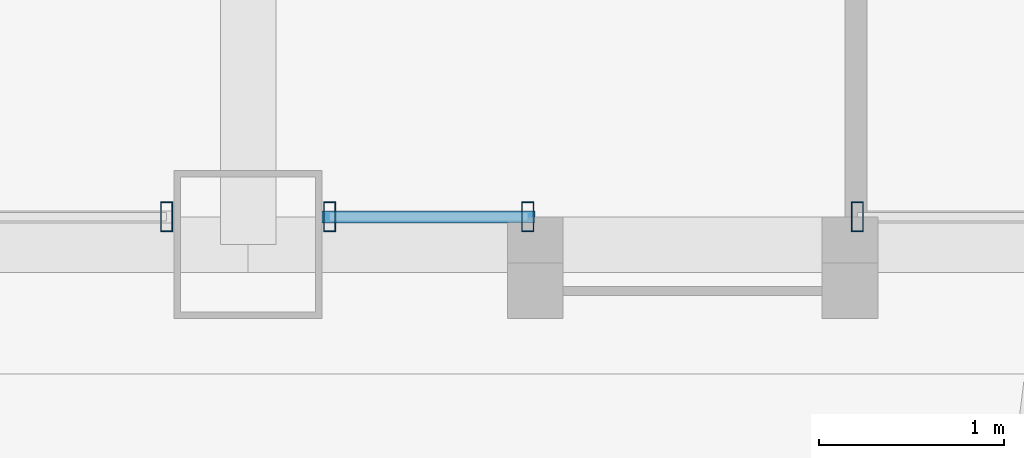
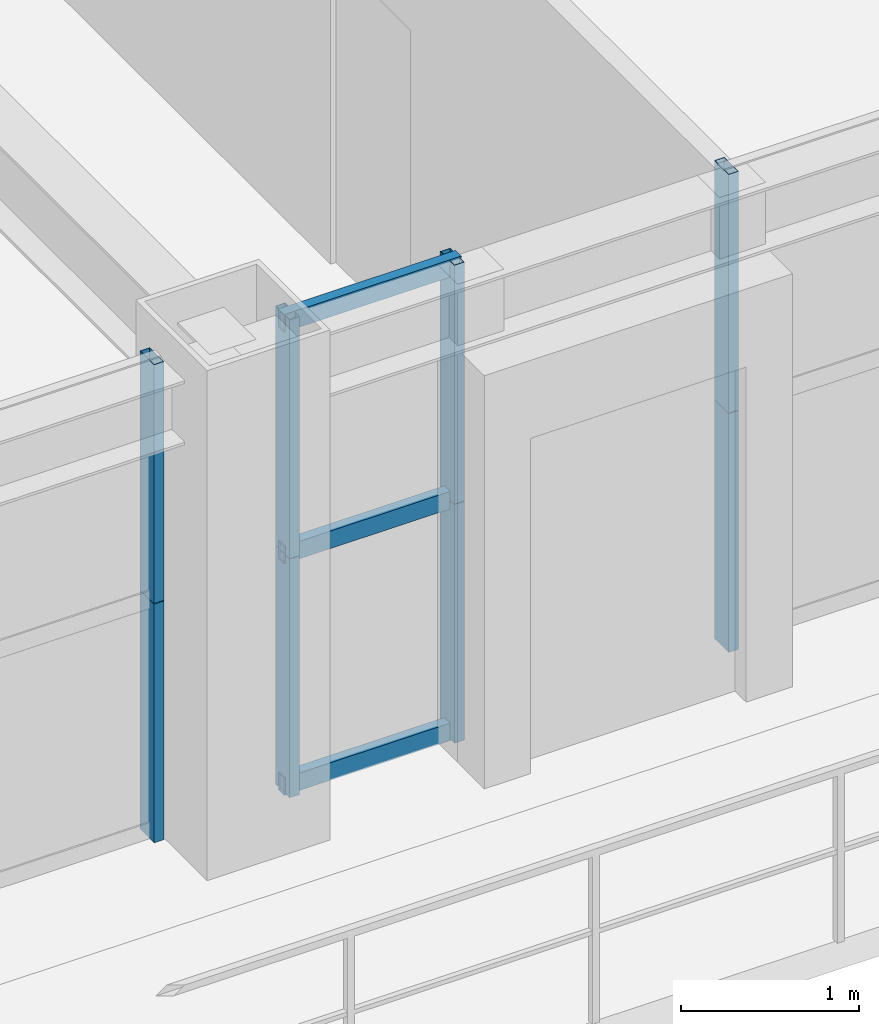
# One storey, part 10 of 45: 11 members, 3 elements without a shape of their own.
"""IFC4 building model written with IfcOpenShell, lengths in metres."""

from ifc_helpers import new_model, si_unit, direction, frame, origin, origin_2d, place, context, subcontext, project, spatial, hollow_rectangle, extrude, source, transform, mapped, material, layer, layer_set, material_profile, profile_set, type_object, element, aggregate, save


model = new_model("IFC4")

# Units and contexts
model_context = context("Model", 3, precision=1e-05, world=origin(), true_north=direction((0.0, 1.0)))
body_context = subcontext(model_context, "Body", "Model", "MODEL_VIEW")
ifc_project = project(units=[si_unit("LENGTHUNIT", "METRE"), si_unit("AREAUNIT", "SQUARE_METRE"), si_unit("VOLUMEUNIT", "CUBIC_METRE"), si_unit("PLANEANGLEUNIT", "RADIAN"), si_unit("MASSUNIT", "GRAM", prefix="KILO"), si_unit("THERMODYNAMICTEMPERATUREUNIT", "KELVIN"), si_unit("POWERUNIT", "WATT")], contexts=[model_context])

# Site, building, storey
site_placement = place(None, origin())
site = spatial("IfcSite", under=ifc_project, at=site_placement, CompositionType="ELEMENT")
building_placement = place(site_placement, origin())
building = spatial("IfcBuilding", under=site, at=building_placement, Name="Yuzanri Waterfront Tower", CompositionType="ELEMENT")
storey_placement = place(building_placement, frame((0.0, 0.0, 212.5)))
storey = spatial("IfcBuildingStorey", under=building, at=storey_placement, Name="L56", CompositionType="ELEMENT", Elevation=212.5)

# Curtain wall, members
ifc_material_1 = material(Name="Anodized Architectural Bronze", Category="metal")
ifc_layer = layer(ifc_material_1, 0.159912109375)
ifc_layer_set = layer_set([ifc_layer], Name="Anodized Architectural Bronze")
curtain_wall_type = type_object("IfcCurtainWallType", Name="Anodized Bronze Mid-Rise Residential Acoustic Unitized Curtain Wall 7200", PredefinedType="NOTDEFINED", material=ifc_layer_set)
curtain_wall_1_placement = place(storey_placement, origin())
curtain_wall_1 = element("IfcCurtainWall", 1, at=curtain_wall_1_placement, inside=storey, type_object=curtain_wall_type, Name="L56 Curtain Wall CW-L56-SL", PredefinedType="NOTDEFINED")
ifc_material_2 = material(Name="Anodized Architectural Bronze", Category="metal")
ifc_material_profile_1 = material_profile(ifc_material_2, hollow_rectangle(XDim=0.06494140625, YDim=0.159912109375, WallThickness=0.00341796875, at=origin_2d()), Name="CWM 65x160")
ifc_profile_set_1 = profile_set([ifc_material_profile_1], Name="Anodized Architectural Bronze")
member_type_1 = type_object("IfcMemberType", Name="Anodized Bronze Upper-Zone Curtain-Wall Mullion 65x160", PredefinedType="MULLION", material=ifc_profile_set_1)
shared_shape_1 = source(origin(), body_context, "Body", "SweptSolid", [
    extrude(hollow_rectangle(XDim=0.06494140625, YDim=0.159912109375, WallThickness=0.00341796875, at=origin_2d()), origin(), (0.0, 0.0, 1.0), 1.637939453125),
])
member_1_placement = place(storey_placement, frame((36.56005859375, 3.85009765625, 0.0), z_axis=(0.0, 0.0, 1.0), x_axis=(1.0, 0.0, 0.0)))
member_1 = element("IfcMember", 2, at=member_1_placement, type_object=member_type_1, Name="CW-L56-SL Lower Mullion 02", PredefinedType="MULLION", context=body_context, shape_type="MappedRepresentation", body=[
    mapped(shared_shape_1, transform((0.0, 0.0, 0.0), scale=1.0)),
])
member_2_placement = place(storey_placement, frame((36.56005859375, 3.85009765625, 1.64208984375), z_axis=(0.0, 0.0, 1.0), x_axis=(1.0, 0.0, 0.0)))
member_2 = element("IfcMember", 3, at=member_2_placement, type_object=member_type_1, Name="CW-L56-SL Upper Mullion 02", PredefinedType="MULLION", context=body_context, shape_type="MappedRepresentation", body=[
    mapped(shared_shape_1, transform((0.0, 0.0, 0.0), scale=1.0)),
])
aggregate(curtain_wall_1, [member_1, member_2])

curtain_wall_2_placement = place(storey_placement, origin())
curtain_wall_2 = element("IfcCurtainWall", 4, at=curtain_wall_2_placement, inside=storey, type_object=curtain_wall_type, Name="L56 Curtain Wall CW-L56-SR1", PredefinedType="NOTDEFINED")
member_3_placement = place(storey_placement, frame((37.43994140625, 3.85009765625, 0.0), z_axis=(0.0, 0.0, 1.0), x_axis=(1.0, 0.0, 0.0)))
member_3 = element("IfcMember", 5, at=member_3_placement, type_object=member_type_1, Name="CW-L56-SR1 Lower Mullion 00", PredefinedType="MULLION", context=body_context, shape_type="MappedRepresentation", body=[
    mapped(shared_shape_1, transform((0.0, 0.0, 0.0), scale=1.0)),
])
member_4_placement = place(storey_placement, frame((37.43994140625, 3.85009765625, 1.64208984375), z_axis=(0.0, 0.0, 1.0), x_axis=(1.0, 0.0, 0.0)))
member_4 = element("IfcMember", 6, at=member_4_placement, type_object=member_type_1, Name="CW-L56-SR1 Upper Mullion 00", PredefinedType="MULLION", context=body_context, shape_type="MappedRepresentation", body=[
    mapped(shared_shape_1, transform((0.0, 0.0, 0.0), scale=1.0)),
])
member_5_placement = place(storey_placement, frame((38.510009765625, 3.85009765625, 0.0), z_axis=(0.0, 0.0, 1.0), x_axis=(1.0, 0.0, 0.0)))
member_5 = element("IfcMember", 7, at=member_5_placement, type_object=member_type_1, Name="CW-L56-SR1 Lower Mullion 01", PredefinedType="MULLION", context=body_context, shape_type="MappedRepresentation", body=[
    mapped(shared_shape_1, transform((0.0, 0.0, 0.0), scale=1.0)),
])
member_6_placement = place(storey_placement, frame((38.510009765625, 3.85009765625, 1.64208984375), z_axis=(0.0, 0.0, 1.0), x_axis=(1.0, 0.0, 0.0)))
member_6 = element("IfcMember", 8, at=member_6_placement, type_object=member_type_1, Name="CW-L56-SR1 Upper Mullion 01", PredefinedType="MULLION", context=body_context, shape_type="MappedRepresentation", body=[
    mapped(shared_shape_1, transform((0.0, 0.0, 0.0), scale=1.0)),
])

curtain_wall_3_placement = place(storey_placement, origin())
curtain_wall_3 = element("IfcCurtainWall", 9, at=curtain_wall_3_placement, inside=storey, type_object=curtain_wall_type, Name="L56 Curtain Wall CW-L56-SR2", PredefinedType="NOTDEFINED")
member_7_placement = place(storey_placement, frame((40.2900390625, 3.85009765625, 0.0), z_axis=(0.0, 0.0, 1.0), x_axis=(1.0, 0.0, 0.0)))
member_7 = element("IfcMember", 10, at=member_7_placement, type_object=member_type_1, Name="CW-L56-SR2 Lower Mullion 00", PredefinedType="MULLION", context=body_context, shape_type="MappedRepresentation", body=[
    mapped(shared_shape_1, transform((0.0, 0.0, 0.0), scale=1.0)),
])
member_8_placement = place(storey_placement, frame((40.2900390625, 3.85009765625, 1.64208984375), z_axis=(0.0, 0.0, 1.0), x_axis=(1.0, 0.0, 0.0)))
member_8 = element("IfcMember", 11, at=member_8_placement, type_object=member_type_1, Name="CW-L56-SR2 Upper Mullion 00", PredefinedType="MULLION", context=body_context, shape_type="MappedRepresentation", body=[
    mapped(shared_shape_1, transform((0.0, 0.0, 0.0), scale=1.0)),
])
aggregate(curtain_wall_3, [member_7, member_8])

# Member
ifc_material_3 = material(Name="Anodized Architectural Bronze", Category="metal")
ifc_material_profile_2 = material_profile(ifc_material_3, hollow_rectangle(XDim=0.06494140625, YDim=0.1201171875, WallThickness=0.00341796875, at=origin_2d()), Name="CWT 65x120")
ifc_profile_set_2 = profile_set([ifc_material_profile_2], Name="Anodized Architectural Bronze")
member_type_2 = type_object("IfcMemberType", Name="Anodized Bronze Secondary Curtain-Wall Transom 65x120", PredefinedType="USERDEFINED", material=ifc_profile_set_2)
shared_shape_2 = source(origin(), body_context, "Body", "SweptSolid", [
    extrude(hollow_rectangle(XDim=0.06494140625, YDim=0.1201171875, WallThickness=0.00341796875, at=origin_2d()), origin(), (0.0, 0.0, 1.0), 1.150146484375),
])
member_9_placement = place(storey_placement, frame((37.39990234375, 3.85009765625, 0.050048828125), z_axis=(1.0, 0.0, 0.0), x_axis=(0.0, 1.0, 0.0)))
member_9 = element("IfcMember", 12, at=member_9_placement, type_object=member_type_2, Name="CW-L56-SR1 Transom 1", ObjectType="TRANSOM", PredefinedType="USERDEFINED", context=body_context, shape_type="MappedRepresentation", body=[
    mapped(shared_shape_2, transform((0.0, 0.0, 0.0), scale=1.0)),
])

member_10_placement = place(storey_placement, frame((37.39990234375, 3.85009765625, 1.639892578125), z_axis=(1.0, 0.0, 0.0), x_axis=(0.0, 1.0, 0.0)))
member_10 = element("IfcMember", 13, at=member_10_placement, type_object=member_type_2, Name="CW-L56-SR1 Transom 2", ObjectType="TRANSOM", PredefinedType="USERDEFINED", context=body_context, shape_type="MappedRepresentation", body=[
    mapped(shared_shape_2, transform((0.0, 0.0, 0.0), scale=1.0)),
])

member_11_placement = place(storey_placement, frame((37.39990234375, 3.85009765625, 3.22998046875), z_axis=(1.0, 0.0, 0.0), x_axis=(0.0, 1.0, 0.0)))
member_11 = element("IfcMember", 14, at=member_11_placement, type_object=member_type_2, Name="CW-L56-SR1 Transom 3", ObjectType="TRANSOM", PredefinedType="USERDEFINED", context=body_context, shape_type="MappedRepresentation", body=[
    mapped(shared_shape_2, transform((0.0, 0.0, 0.0), scale=1.0)),
])

aggregate(curtain_wall_2, [member_3, member_4, member_5, member_6, member_9, member_10, member_11])

save(model, "model.ifc")
